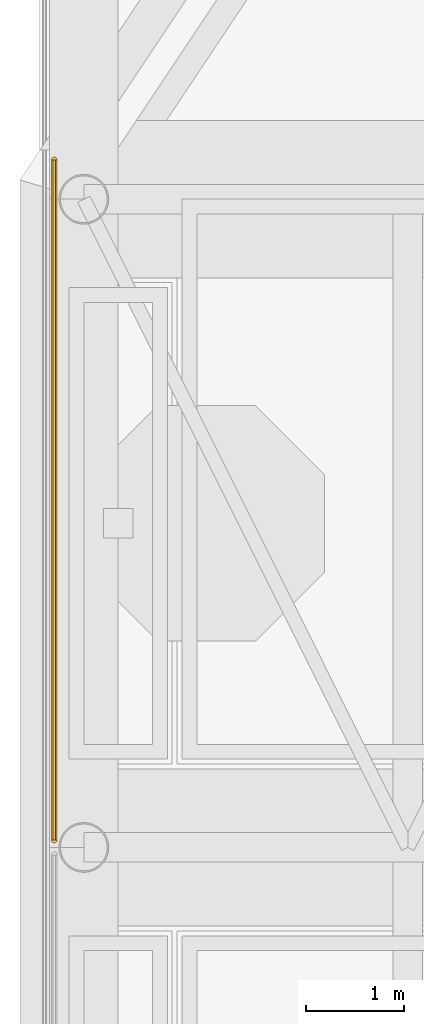
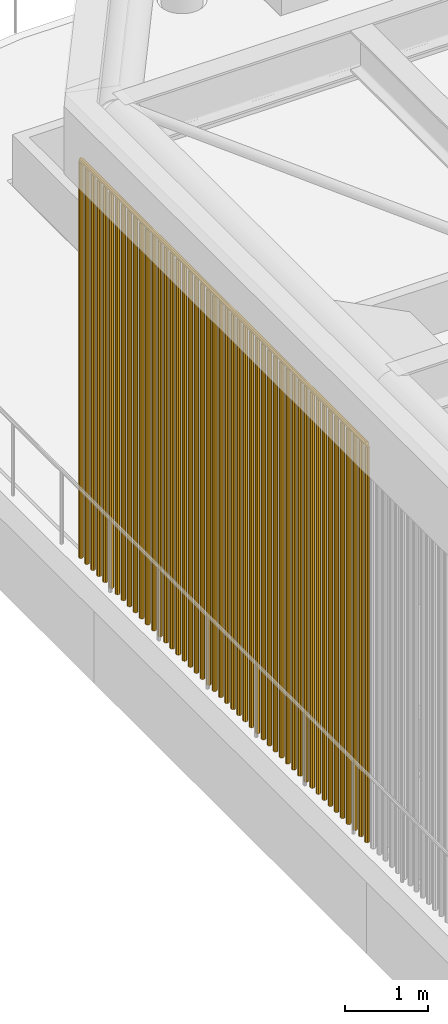
# One storey, part 14 of 22: 1 covering.
"""IFC4 building model written with IfcOpenShell, lengths in metres."""

from ifc_helpers import new_model, si_unit, direction, frame, origin, place, context, subcontext, project, spatial, polyline, outline, extrude, material, type_object, element, save


model = new_model("IFC4")

# Units and contexts
model_context = context("Model", 3, precision=1e-05, world=origin(), true_north=direction((0.0, 1.0)))
body_context = subcontext(model_context, "Body", "Model", "MODEL_VIEW")
ifc_project = project(units=[si_unit("LENGTHUNIT", "METRE"), si_unit("AREAUNIT", "SQUARE_METRE"), si_unit("VOLUMEUNIT", "CUBIC_METRE"), si_unit("PLANEANGLEUNIT", "RADIAN"), si_unit("MASSUNIT", "GRAM", prefix="KILO")], contexts=[model_context])

# Site, building, storey
site_placement = place(None, origin())
site = spatial("IfcSite", under=ifc_project, at=site_placement, CompositionType="ELEMENT")
building_placement = place(site_placement, origin())
building = spatial("IfcBuilding", under=site, at=building_placement, Name="Cobogo Forest Laboratory Tower", CompositionType="ELEMENT")
storey_placement = place(building_placement, frame((0.0, 0.0, 292.800048828125)))
storey = spatial("IfcBuildingStorey", under=building, at=storey_placement, Name="RF", CompositionType="ELEMENT", Elevation=292.800048828125)

# Covering
ifc_material = material(Name="Terracotta baguettes on a galvanised steel top rail", Category="masonry")
covering_type = type_object("IfcCoveringType", Name="CS1 crown terracotta baguette screen", PredefinedType="CLADDING", material=ifc_material)
covering_placement = place(storey_placement, frame((6.300048828125, 26.47509765625, -0.0009765625)))
element("IfcCovering", 1, at=covering_placement, inside=storey, type_object=covering_type, Name="Crown screen W3", PredefinedType="CLADDING", context=body_context, shape_type="SweptSolid", body=[
    extrude(outline(polyline([(0.02880859375, 0.011962890625), (0.011962890625, 0.02880859375), (-0.011962890625, 0.02880859375), (-0.02880859375, 0.011962890625), (-0.02880859375, -0.011962890625), (-0.011962890625, -0.02880859375), (0.011962890625, -0.02880859375), (0.02880859375, -0.011962890625), (0.02880859375, 0.011962890625)])), frame((0.0, 0.0, 5.873046875), z_axis=(0.0, 1.0, 0.0), x_axis=(-1.0, 0.0, 0.0)), (0.0, 0.0, 1.0), 6.9248046875),
    extrude(outline(polyline([(0.02880859375, 0.011962890625), (0.011962890625, 0.02880859375), (-0.011962890625, 0.02880859375), (-0.02880859375, 0.011962890625), (-0.02880859375, -0.011962890625), (-0.011962890625, -0.02880859375), (0.011962890625, -0.02880859375), (0.02880859375, -0.011962890625), (0.02880859375, 0.011962890625)])), origin(), (0.0, 0.0, 1.0), 5.841796875),
    extrude(outline(polyline([(0.02880859375, 0.011962890625), (0.011962890625, 0.02880859375), (-0.011962890625, 0.02880859375), (-0.02880859375, 0.011962890625), (-0.02880859375, -0.011962890625), (-0.011962890625, -0.02880859375), (0.011962890625, -0.02880859375), (0.02880859375, -0.011962890625), (0.02880859375, 0.011962890625)])), frame((0.0, 0.147216796875, 0.0)), (0.0, 0.0, 1.0), 5.841796875),
    extrude(outline(polyline([(0.02880859375, 0.011962890625), (0.011962890625, 0.02880859375), (-0.011962890625, 0.02880859375), (-0.02880859375, 0.011962890625), (-0.02880859375, -0.011962890625), (-0.011962890625, -0.02880859375), (0.011962890625, -0.02880859375), (0.02880859375, -0.011962890625), (0.02880859375, 0.011962890625)])), frame((0.0, 0.294677734375, 0.0)), (0.0, 0.0, 1.0), 5.841796875),
    extrude(outline(polyline([(0.02880859375, 0.011962890625), (0.011962890625, 0.02880859375), (-0.011962890625, 0.02880859375), (-0.02880859375, 0.011962890625), (-0.02880859375, -0.011962890625), (-0.011962890625, -0.02880859375), (0.011962890625, -0.02880859375), (0.02880859375, -0.011962890625), (0.02880859375, 0.011962890625)])), frame((0.0, 0.44189453125, 0.0)), (0.0, 0.0, 1.0), 5.841796875),
    extrude(outline(polyline([(0.02880859375, 0.011962890625), (0.011962890625, 0.02880859375), (-0.011962890625, 0.02880859375), (-0.02880859375, 0.011962890625), (-0.02880859375, -0.011962890625), (-0.011962890625, -0.02880859375), (0.011962890625, -0.02880859375), (0.02880859375, -0.011962890625), (0.02880859375, 0.011962890625)])), frame((0.0, 0.58935546875, 0.0)), (0.0, 0.0, 1.0), 5.841796875),
    extrude(outline(polyline([(0.02880859375, 0.011962890625), (0.011962890625, 0.02880859375), (-0.011962890625, 0.02880859375), (-0.02880859375, 0.011962890625), (-0.02880859375, -0.011962890625), (-0.011962890625, -0.02880859375), (0.011962890625, -0.02880859375), (0.02880859375, -0.011962890625), (0.02880859375, 0.011962890625)])), frame((0.0, 0.736572265625, 0.0)), (0.0, 0.0, 1.0), 5.841796875),
    extrude(outline(polyline([(0.02880859375, 0.011962890625), (0.011962890625, 0.02880859375), (-0.011962890625, 0.02880859375), (-0.02880859375, 0.011962890625), (-0.02880859375, -0.011962890625), (-0.011962890625, -0.02880859375), (0.011962890625, -0.02880859375), (0.02880859375, -0.011962890625), (0.02880859375, 0.011962890625)])), frame((0.0, 0.884033203125, 0.0)), (0.0, 0.0, 1.0), 5.841796875),
    extrude(outline(polyline([(0.02880859375, 0.011962890625), (0.011962890625, 0.02880859375), (-0.011962890625, 0.02880859375), (-0.02880859375, 0.011962890625), (-0.02880859375, -0.011962890625), (-0.011962890625, -0.02880859375), (0.011962890625, -0.02880859375), (0.02880859375, -0.011962890625), (0.02880859375, 0.011962890625)])), frame((0.0, 1.03125, 0.0)), (0.0, 0.0, 1.0), 5.841796875),
    extrude(outline(polyline([(0.02880859375, 0.011962890625), (0.011962890625, 0.02880859375), (-0.011962890625, 0.02880859375), (-0.02880859375, 0.011962890625), (-0.02880859375, -0.011962890625), (-0.011962890625, -0.02880859375), (0.011962890625, -0.02880859375), (0.02880859375, -0.011962890625), (0.02880859375, 0.011962890625)])), frame((0.0, 1.1787109375, 0.0)), (0.0, 0.0, 1.0), 5.841796875),
    extrude(outline(polyline([(0.02880859375, 0.011962890625), (0.011962890625, 0.02880859375), (-0.011962890625, 0.02880859375), (-0.02880859375, 0.011962890625), (-0.02880859375, -0.011962890625), (-0.011962890625, -0.02880859375), (0.011962890625, -0.02880859375), (0.02880859375, -0.011962890625), (0.02880859375, 0.011962890625)])), frame((0.0, 1.325927734375, 0.0)), (0.0, 0.0, 1.0), 5.841796875),
    extrude(outline(polyline([(0.02880859375, 0.011962890625), (0.011962890625, 0.02880859375), (-0.011962890625, 0.02880859375), (-0.02880859375, 0.011962890625), (-0.02880859375, -0.011962890625), (-0.011962890625, -0.02880859375), (0.011962890625, -0.02880859375), (0.02880859375, -0.011962890625), (0.02880859375, 0.011962890625)])), frame((0.0, 1.473388671875, 0.0)), (0.0, 0.0, 1.0), 5.841796875),
    extrude(outline(polyline([(0.02880859375, 0.011962890625), (0.011962890625, 0.02880859375), (-0.011962890625, 0.02880859375), (-0.02880859375, 0.011962890625), (-0.02880859375, -0.011962890625), (-0.011962890625, -0.02880859375), (0.011962890625, -0.02880859375), (0.02880859375, -0.011962890625), (0.02880859375, 0.011962890625)])), frame((0.0, 1.62060546875, 0.0)), (0.0, 0.0, 1.0), 5.841796875),
    extrude(outline(polyline([(0.02880859375, 0.011962890625), (0.011962890625, 0.02880859375), (-0.011962890625, 0.02880859375), (-0.02880859375, 0.011962890625), (-0.02880859375, -0.011962890625), (-0.011962890625, -0.02880859375), (0.011962890625, -0.02880859375), (0.02880859375, -0.011962890625), (0.02880859375, 0.011962890625)])), frame((0.0, 1.76806640625, 0.0)), (0.0, 0.0, 1.0), 5.841796875),
    extrude(outline(polyline([(0.02880859375, 0.011962890625), (0.011962890625, 0.02880859375), (-0.011962890625, 0.02880859375), (-0.02880859375, 0.011962890625), (-0.02880859375, -0.011962890625), (-0.011962890625, -0.02880859375), (0.011962890625, -0.02880859375), (0.02880859375, -0.011962890625), (0.02880859375, 0.011962890625)])), frame((0.0, 1.915283203125, 0.0)), (0.0, 0.0, 1.0), 5.841796875),
    extrude(outline(polyline([(0.02880859375, 0.011962890625), (0.011962890625, 0.02880859375), (-0.011962890625, 0.02880859375), (-0.02880859375, 0.011962890625), (-0.02880859375, -0.011962890625), (-0.011962890625, -0.02880859375), (0.011962890625, -0.02880859375), (0.02880859375, -0.011962890625), (0.02880859375, 0.011962890625)])), frame((0.0, 2.062744140625, 0.0)), (0.0, 0.0, 1.0), 5.841796875),
    extrude(outline(polyline([(0.02880859375, 0.011962890625), (0.011962890625, 0.02880859375), (-0.011962890625, 0.02880859375), (-0.02880859375, 0.011962890625), (-0.02880859375, -0.011962890625), (-0.011962890625, -0.02880859375), (0.011962890625, -0.02880859375), (0.02880859375, -0.011962890625), (0.02880859375, 0.011962890625)])), frame((0.0, 2.2099609375, 0.0)), (0.0, 0.0, 1.0), 5.841796875),
    extrude(outline(polyline([(0.02880859375, 0.011962890625), (0.011962890625, 0.02880859375), (-0.011962890625, 0.02880859375), (-0.02880859375, 0.011962890625), (-0.02880859375, -0.011962890625), (-0.011962890625, -0.02880859375), (0.011962890625, -0.02880859375), (0.02880859375, -0.011962890625), (0.02880859375, 0.011962890625)])), frame((0.0, 2.357421875, 0.0)), (0.0, 0.0, 1.0), 5.841796875),
    extrude(outline(polyline([(0.02880859375, 0.011962890625), (0.011962890625, 0.02880859375), (-0.011962890625, 0.02880859375), (-0.02880859375, 0.011962890625), (-0.02880859375, -0.011962890625), (-0.011962890625, -0.02880859375), (0.011962890625, -0.02880859375), (0.02880859375, -0.011962890625), (0.02880859375, 0.011962890625)])), frame((0.0, 2.504638671875, 0.0)), (0.0, 0.0, 1.0), 5.841796875),
    extrude(outline(polyline([(0.02880859375, 0.011962890625), (0.011962890625, 0.02880859375), (-0.011962890625, 0.02880859375), (-0.02880859375, 0.011962890625), (-0.02880859375, -0.011962890625), (-0.011962890625, -0.02880859375), (0.011962890625, -0.02880859375), (0.02880859375, -0.011962890625), (0.02880859375, 0.011962890625)])), frame((0.0, 2.652099609375, 0.0)), (0.0, 0.0, 1.0), 5.841796875),
    extrude(outline(polyline([(0.02880859375, 0.011962890625), (0.011962890625, 0.02880859375), (-0.011962890625, 0.02880859375), (-0.02880859375, 0.011962890625), (-0.02880859375, -0.011962890625), (-0.011962890625, -0.02880859375), (0.011962890625, -0.02880859375), (0.02880859375, -0.011962890625), (0.02880859375, 0.011962890625)])), frame((0.0, 2.79931640625, 0.0)), (0.0, 0.0, 1.0), 5.841796875),
    extrude(outline(polyline([(0.02880859375, 0.011962890625), (0.011962890625, 0.02880859375), (-0.011962890625, 0.02880859375), (-0.02880859375, 0.011962890625), (-0.02880859375, -0.011962890625), (-0.011962890625, -0.02880859375), (0.011962890625, -0.02880859375), (0.02880859375, -0.011962890625), (0.02880859375, 0.011962890625)])), frame((0.0, 2.94677734375, 0.0)), (0.0, 0.0, 1.0), 5.841796875),
    extrude(outline(polyline([(0.02880859375, 0.011962890625), (0.011962890625, 0.02880859375), (-0.011962890625, 0.02880859375), (-0.02880859375, 0.011962890625), (-0.02880859375, -0.011962890625), (-0.011962890625, -0.02880859375), (0.011962890625, -0.02880859375), (0.02880859375, -0.011962890625), (0.02880859375, 0.011962890625)])), frame((0.0, 3.093994140625, 0.0)), (0.0, 0.0, 1.0), 5.841796875),
    extrude(outline(polyline([(0.02880859375, 0.011962890625), (0.011962890625, 0.02880859375), (-0.011962890625, 0.02880859375), (-0.02880859375, 0.011962890625), (-0.02880859375, -0.011962890625), (-0.011962890625, -0.02880859375), (0.011962890625, -0.02880859375), (0.02880859375, -0.011962890625), (0.02880859375, 0.011962890625)])), frame((0.0, 3.241455078125, 0.0)), (0.0, 0.0, 1.0), 5.841796875),
    extrude(outline(polyline([(0.02880859375, 0.011962890625), (0.011962890625, 0.02880859375), (-0.011962890625, 0.02880859375), (-0.02880859375, 0.011962890625), (-0.02880859375, -0.011962890625), (-0.011962890625, -0.02880859375), (0.011962890625, -0.02880859375), (0.02880859375, -0.011962890625), (0.02880859375, 0.011962890625)])), frame((0.0, 3.388671875, 0.0)), (0.0, 0.0, 1.0), 5.841796875),
    extrude(outline(polyline([(0.02880859375, 0.011962890625), (0.011962890625, 0.02880859375), (-0.011962890625, 0.02880859375), (-0.02880859375, 0.011962890625), (-0.02880859375, -0.011962890625), (-0.011962890625, -0.02880859375), (0.011962890625, -0.02880859375), (0.02880859375, -0.011962890625), (0.02880859375, 0.011962890625)])), frame((0.0, 3.5361328125, 0.0)), (0.0, 0.0, 1.0), 5.841796875),
    extrude(outline(polyline([(0.02880859375, 0.011962890625), (0.011962890625, 0.02880859375), (-0.011962890625, 0.02880859375), (-0.02880859375, 0.011962890625), (-0.02880859375, -0.011962890625), (-0.011962890625, -0.02880859375), (0.011962890625, -0.02880859375), (0.02880859375, -0.011962890625), (0.02880859375, 0.011962890625)])), frame((0.0, 3.683349609375, 0.0)), (0.0, 0.0, 1.0), 5.841796875),
    extrude(outline(polyline([(0.02880859375, 0.011962890625), (0.011962890625, 0.02880859375), (-0.011962890625, 0.02880859375), (-0.02880859375, 0.011962890625), (-0.02880859375, -0.011962890625), (-0.011962890625, -0.02880859375), (0.011962890625, -0.02880859375), (0.02880859375, -0.011962890625), (0.02880859375, 0.011962890625)])), frame((0.0, 3.830810546875, 0.0)), (0.0, 0.0, 1.0), 5.841796875),
    extrude(outline(polyline([(0.02880859375, 0.011962890625), (0.011962890625, 0.02880859375), (-0.011962890625, 0.02880859375), (-0.02880859375, 0.011962890625), (-0.02880859375, -0.011962890625), (-0.011962890625, -0.02880859375), (0.011962890625, -0.02880859375), (0.02880859375, -0.011962890625), (0.02880859375, 0.011962890625)])), frame((0.0, 3.97802734375, 0.0)), (0.0, 0.0, 1.0), 5.841796875),
    extrude(outline(polyline([(0.02880859375, 0.011962890625), (0.011962890625, 0.02880859375), (-0.011962890625, 0.02880859375), (-0.02880859375, 0.011962890625), (-0.02880859375, -0.011962890625), (-0.011962890625, -0.02880859375), (0.011962890625, -0.02880859375), (0.02880859375, -0.011962890625), (0.02880859375, 0.011962890625)])), frame((0.0, 4.12548828125, 0.0)), (0.0, 0.0, 1.0), 5.841796875),
    extrude(outline(polyline([(0.02880859375, 0.011962890625), (0.011962890625, 0.02880859375), (-0.011962890625, 0.02880859375), (-0.02880859375, 0.011962890625), (-0.02880859375, -0.011962890625), (-0.011962890625, -0.02880859375), (0.011962890625, -0.02880859375), (0.02880859375, -0.011962890625), (0.02880859375, 0.011962890625)])), frame((0.0, 4.272705078125, 0.0)), (0.0, 0.0, 1.0), 5.841796875),
    extrude(outline(polyline([(0.02880859375, 0.011962890625), (0.011962890625, 0.02880859375), (-0.011962890625, 0.02880859375), (-0.02880859375, 0.011962890625), (-0.02880859375, -0.011962890625), (-0.011962890625, -0.02880859375), (0.011962890625, -0.02880859375), (0.02880859375, -0.011962890625), (0.02880859375, 0.011962890625)])), frame((0.0, 4.420166015625, 0.0)), (0.0, 0.0, 1.0), 5.841796875),
    extrude(outline(polyline([(0.02880859375, 0.011962890625), (0.011962890625, 0.02880859375), (-0.011962890625, 0.02880859375), (-0.02880859375, 0.011962890625), (-0.02880859375, -0.011962890625), (-0.011962890625, -0.02880859375), (0.011962890625, -0.02880859375), (0.02880859375, -0.011962890625), (0.02880859375, 0.011962890625)])), frame((0.0, 4.5673828125, 0.0)), (0.0, 0.0, 1.0), 5.841796875),
    extrude(outline(polyline([(0.02880859375, 0.011962890625), (0.011962890625, 0.02880859375), (-0.011962890625, 0.02880859375), (-0.02880859375, 0.011962890625), (-0.02880859375, -0.011962890625), (-0.011962890625, -0.02880859375), (0.011962890625, -0.02880859375), (0.02880859375, -0.011962890625), (0.02880859375, 0.011962890625)])), frame((0.0, 4.71484375, 0.0)), (0.0, 0.0, 1.0), 5.841796875),
    extrude(outline(polyline([(0.02880859375, 0.011962890625), (0.011962890625, 0.02880859375), (-0.011962890625, 0.02880859375), (-0.02880859375, 0.011962890625), (-0.02880859375, -0.011962890625), (-0.011962890625, -0.02880859375), (0.011962890625, -0.02880859375), (0.02880859375, -0.011962890625), (0.02880859375, 0.011962890625)])), frame((0.0, 4.862060546875, 0.0)), (0.0, 0.0, 1.0), 5.841796875),
    extrude(outline(polyline([(0.02880859375, 0.011962890625), (0.011962890625, 0.02880859375), (-0.011962890625, 0.02880859375), (-0.02880859375, 0.011962890625), (-0.02880859375, -0.011962890625), (-0.011962890625, -0.02880859375), (0.011962890625, -0.02880859375), (0.02880859375, -0.011962890625), (0.02880859375, 0.011962890625)])), frame((0.0, 5.009521484375, 0.0)), (0.0, 0.0, 1.0), 5.841796875),
    extrude(outline(polyline([(0.02880859375, 0.011962890625), (0.011962890625, 0.02880859375), (-0.011962890625, 0.02880859375), (-0.02880859375, 0.011962890625), (-0.02880859375, -0.011962890625), (-0.011962890625, -0.02880859375), (0.011962890625, -0.02880859375), (0.02880859375, -0.011962890625), (0.02880859375, 0.011962890625)])), frame((0.0, 5.15673828125, 0.0)), (0.0, 0.0, 1.0), 5.841796875),
    extrude(outline(polyline([(0.02880859375, 0.011962890625), (0.011962890625, 0.02880859375), (-0.011962890625, 0.02880859375), (-0.02880859375, 0.011962890625), (-0.02880859375, -0.011962890625), (-0.011962890625, -0.02880859375), (0.011962890625, -0.02880859375), (0.02880859375, -0.011962890625), (0.02880859375, 0.011962890625)])), frame((0.0, 5.30419921875, 0.0)), (0.0, 0.0, 1.0), 5.841796875),
    extrude(outline(polyline([(0.02880859375, 0.011962890625), (0.011962890625, 0.02880859375), (-0.011962890625, 0.02880859375), (-0.02880859375, 0.011962890625), (-0.02880859375, -0.011962890625), (-0.011962890625, -0.02880859375), (0.011962890625, -0.02880859375), (0.02880859375, -0.011962890625), (0.02880859375, 0.011962890625)])), frame((0.0, 5.451416015625, 0.0)), (0.0, 0.0, 1.0), 5.841796875),
    extrude(outline(polyline([(0.02880859375, 0.011962890625), (0.011962890625, 0.02880859375), (-0.011962890625, 0.02880859375), (-0.02880859375, 0.011962890625), (-0.02880859375, -0.011962890625), (-0.011962890625, -0.02880859375), (0.011962890625, -0.02880859375), (0.02880859375, -0.011962890625), (0.02880859375, 0.011962890625)])), frame((0.0, 5.598876953125, 0.0)), (0.0, 0.0, 1.0), 5.841796875),
    extrude(outline(polyline([(0.02880859375, 0.011962890625), (0.011962890625, 0.02880859375), (-0.011962890625, 0.02880859375), (-0.02880859375, 0.011962890625), (-0.02880859375, -0.011962890625), (-0.011962890625, -0.02880859375), (0.011962890625, -0.02880859375), (0.02880859375, -0.011962890625), (0.02880859375, 0.011962890625)])), frame((0.0, 5.74609375, 0.0)), (0.0, 0.0, 1.0), 5.841796875),
    extrude(outline(polyline([(0.02880859375, 0.011962890625), (0.011962890625, 0.02880859375), (-0.011962890625, 0.02880859375), (-0.02880859375, 0.011962890625), (-0.02880859375, -0.011962890625), (-0.011962890625, -0.02880859375), (0.011962890625, -0.02880859375), (0.02880859375, -0.011962890625), (0.02880859375, 0.011962890625)])), frame((0.0, 5.8935546875, 0.0)), (0.0, 0.0, 1.0), 5.841796875),
    extrude(outline(polyline([(0.02880859375, 0.011962890625), (0.011962890625, 0.02880859375), (-0.011962890625, 0.02880859375), (-0.02880859375, 0.011962890625), (-0.02880859375, -0.011962890625), (-0.011962890625, -0.02880859375), (0.011962890625, -0.02880859375), (0.02880859375, -0.011962890625), (0.02880859375, 0.011962890625)])), frame((0.0, 6.040771484375, 0.0)), (0.0, 0.0, 1.0), 5.841796875),
    extrude(outline(polyline([(0.02880859375, 0.011962890625), (0.011962890625, 0.02880859375), (-0.011962890625, 0.02880859375), (-0.02880859375, 0.011962890625), (-0.02880859375, -0.011962890625), (-0.011962890625, -0.02880859375), (0.011962890625, -0.02880859375), (0.02880859375, -0.011962890625), (0.02880859375, 0.011962890625)])), frame((0.0, 6.188232421875, 0.0)), (0.0, 0.0, 1.0), 5.841796875),
    extrude(outline(polyline([(0.02880859375, 0.011962890625), (0.011962890625, 0.02880859375), (-0.011962890625, 0.02880859375), (-0.02880859375, 0.011962890625), (-0.02880859375, -0.011962890625), (-0.011962890625, -0.02880859375), (0.011962890625, -0.02880859375), (0.02880859375, -0.011962890625), (0.02880859375, 0.011962890625)])), frame((0.0, 6.33544921875, 0.0)), (0.0, 0.0, 1.0), 5.841796875),
    extrude(outline(polyline([(0.02880859375, 0.011962890625), (0.011962890625, 0.02880859375), (-0.011962890625, 0.02880859375), (-0.02880859375, 0.011962890625), (-0.02880859375, -0.011962890625), (-0.011962890625, -0.02880859375), (0.011962890625, -0.02880859375), (0.02880859375, -0.011962890625), (0.02880859375, 0.011962890625)])), frame((0.0, 6.48291015625, 0.0)), (0.0, 0.0, 1.0), 5.841796875),
    extrude(outline(polyline([(0.02880859375, 0.011962890625), (0.011962890625, 0.02880859375), (-0.011962890625, 0.02880859375), (-0.02880859375, 0.011962890625), (-0.02880859375, -0.011962890625), (-0.011962890625, -0.02880859375), (0.011962890625, -0.02880859375), (0.02880859375, -0.011962890625), (0.02880859375, 0.011962890625)])), frame((0.0, 6.630126953125, 0.0)), (0.0, 0.0, 1.0), 5.841796875),
    extrude(outline(polyline([(0.02880859375, 0.011962890625), (0.011962890625, 0.02880859375), (-0.011962890625, 0.02880859375), (-0.02880859375, 0.011962890625), (-0.02880859375, -0.011962890625), (-0.011962890625, -0.02880859375), (0.011962890625, -0.02880859375), (0.02880859375, -0.011962890625), (0.02880859375, 0.011962890625)])), frame((0.0, 6.777587890625, 0.0)), (0.0, 0.0, 1.0), 5.841796875),
    extrude(outline(polyline([(0.02880859375, 0.011962890625), (0.011962890625, 0.02880859375), (-0.011962890625, 0.02880859375), (-0.02880859375, 0.011962890625), (-0.02880859375, -0.011962890625), (-0.011962890625, -0.02880859375), (0.011962890625, -0.02880859375), (0.02880859375, -0.011962890625), (0.02880859375, 0.011962890625)])), frame((0.0, 6.9248046875, 0.0)), (0.0, 0.0, 1.0), 5.841796875),
])

save(model, "model.ifc")
